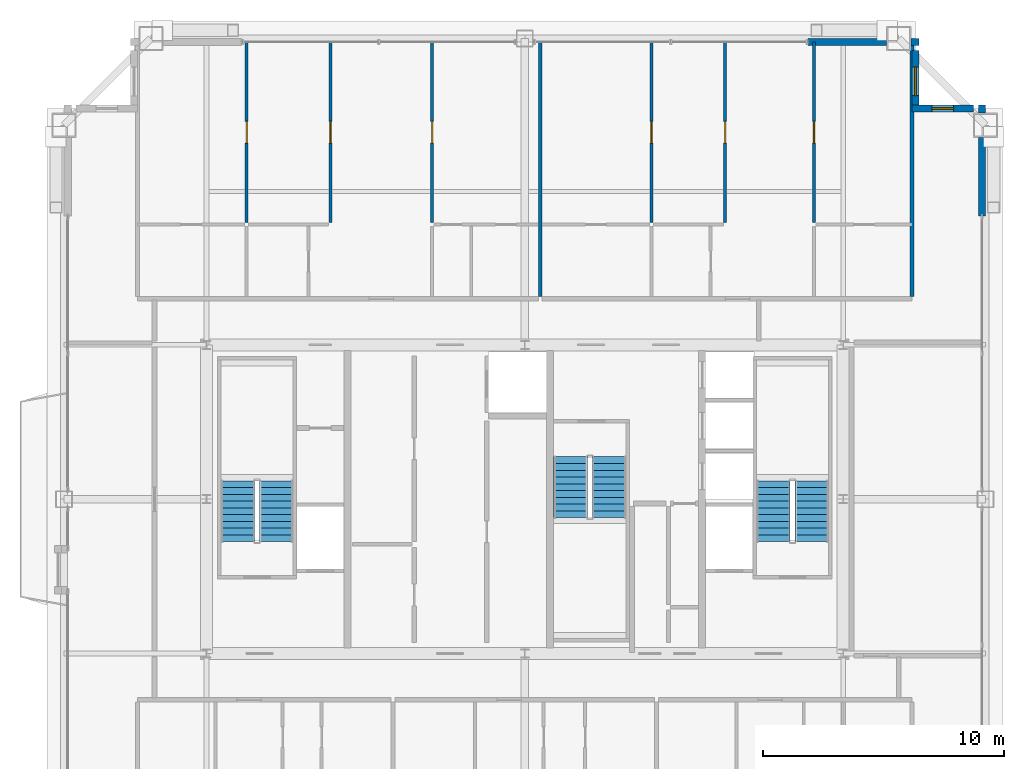
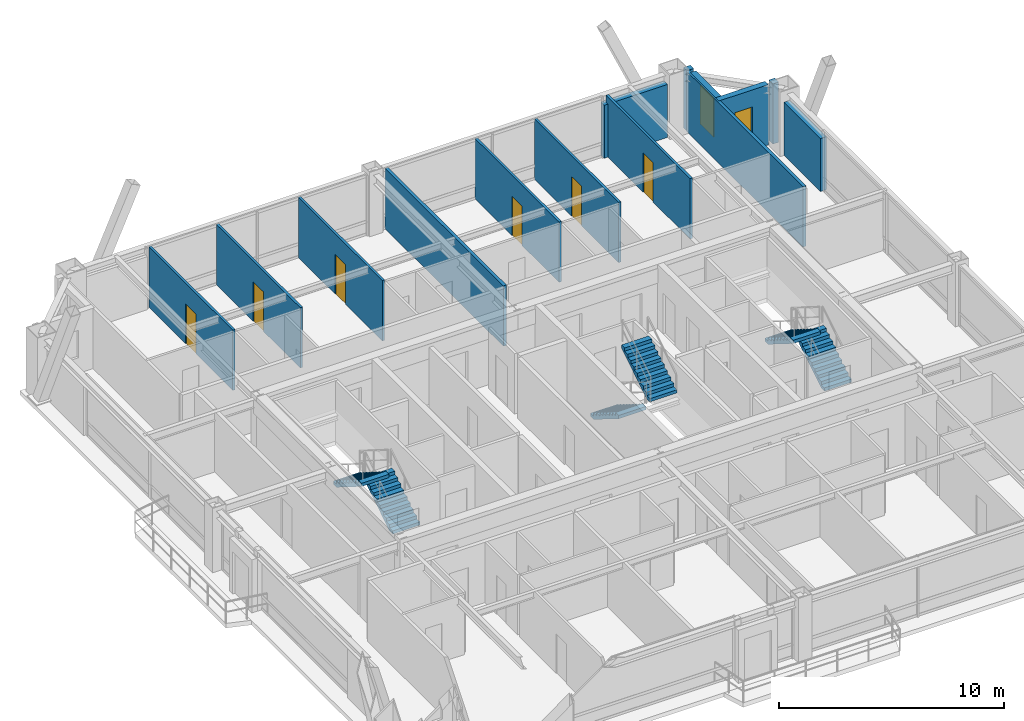
# One storey, part 32 of 33: 14 walls, 6 doors, 6 stair flights, 2 windows, 8 openings, 3 elements without a shape of their own.
"""IFC4 building model written with IfcOpenShell, lengths in metres."""

from ifc_helpers import new_model, si_unit, direction, frame, frame_2d, origin, place, context, subcontext, project, spatial, polyline, rectangle, outline, extrude, source, transform, mapped, material, layer, layer_set, type_object, element, fill, aggregate, save


model = new_model("IFC4")

# Units and contexts
model_context = context("Model", 3, precision=1e-05, world=origin(), true_north=direction((0.0, 1.0)))
body_context = subcontext(model_context, "Body", "Model", "MODEL_VIEW")
ifc_project = project(units=[si_unit("LENGTHUNIT", "METRE"), si_unit("AREAUNIT", "SQUARE_METRE"), si_unit("VOLUMEUNIT", "CUBIC_METRE"), si_unit("PLANEANGLEUNIT", "RADIAN"), si_unit("MASSUNIT", "GRAM", prefix="KILO"), si_unit("THERMODYNAMICTEMPERATUREUNIT", "KELVIN"), si_unit("POWERUNIT", "WATT")], contexts=[model_context])

# Site, building, storey
site_placement = place(None, origin())
site = spatial("IfcSite", under=ifc_project, at=site_placement, CompositionType="ELEMENT")
building_placement = place(site_placement, origin())
building = spatial("IfcBuilding", under=site, at=building_placement, Name="Yuzanri Waterfront Tower", CompositionType="ELEMENT")
storey_placement = place(building_placement, frame((0.0, 0.0, 292.60009765625)))
storey = spatial("IfcBuildingStorey", under=building, at=storey_placement, Name="L78", CompositionType="ELEMENT", Elevation=292.60009765625)

# Wall, opening, door
ifc_material_1 = material(Name="Moisture-Resistant Gypsum Stud Wall", Category="gypsum")
ifc_layer_1 = layer(ifc_material_1, 0.1201171875)
ifc_layer_set_1 = layer_set([ifc_layer_1], Name="Moisture-Resistant Gypsum Stud Wall")
wall_type_1 = type_object("IfcWallType", Name="Bathroom and Kitchen Wet Partition 120", PredefinedType="PARTITIONING", material=ifc_layer_set_1)
wall_1_placement = place(storey_placement, frame((25.469970703125, 37.27001953125, 0.0), z_axis=(0.0, 0.0, 1.0), x_axis=(0.0, 1.0, 0.0)))
wall_1 = element("IfcWall", 1, at=wall_1_placement, inside=storey, type_object=wall_type_1, Name="L78 Partition UW-L78-HN1-SUB-5-E", PredefinedType="PARTITIONING", context=body_context, shape_type="SweptSolid", body=[
    extrude(rectangle(XDim=7.47998046875, YDim=0.1201171875, at=frame_2d((3.739990234375, 0.0))), origin(), (0.0, 0.0, 1.0), 3.27978515625),
])
opening_1_placement = place(wall_1_placement, frame((3.2900390625, 0.0, 0.0)))
opening_1 = element("IfcOpeningElement", 2, at=opening_1_placement, cuts=wall_1, Name="Opening ID-0900", PredefinedType="OPENING", context=body_context, shape_type="SweptSolid", body=[
    extrude(rectangle(XDim=0.89990234375, YDim=2.14990234375, at=frame_2d((0.449951171875, 1.074951171875))), frame((0.0, 0.074951171875, 0.0), z_axis=(0.0, -1.0, 0.0), x_axis=(1.0, 0.0, 0.0)), (0.0, 0.0, 1.0), 0.14990234375),
])
ifc_material_2 = material(Name="Stained Walnut Veneer Timber", Category="wood")
door_type = type_object("IfcDoorType", Name="Bedroom and Study Interior Swing Door 900x2150", OperationType="NOTDEFINED", PredefinedType="DOOR", material=ifc_material_2)
shared_shape_1 = source(origin(), body_context, "Body", "SweptSolid", [
    extrude(rectangle(XDim=0.89990234375, YDim=2.14990234375, at=frame_2d((0.449951171875, 1.074951171875))), frame((0.0, 0.02490234375, 0.0), z_axis=(0.0, -1.0, 0.0), x_axis=(1.0, 0.0, 0.0)), (0.0, 0.0, 1.0), 0.050048828125),
])
door_1_placement = place(opening_1_placement, origin())
door_1 = element("IfcDoor", 3, at=door_1_placement, inside=storey, type_object=door_type, Name="L78 Suite Interior Room Door", OperationType="SINGLE_SWING_RIGHT", OverallHeight=2.14990234375, OverallWidth=0.89990234375, PredefinedType="DOOR", context=body_context, shape_type="MappedRepresentation", body=[
    mapped(shared_shape_1, transform((0.0, 0.0, 0.0), scale=1.0)),
])
fill(opening_1, door_1)

wall_2_placement = place(storey_placement, frame((33.159912109375, 37.27001953125, 0.0), z_axis=(0.0, 0.0, 1.0), x_axis=(0.0, 1.0, 0.0)))
wall_2 = element("IfcWall", 4, at=wall_2_placement, inside=storey, type_object=wall_type_1, Name="L78 Partition UW-L78-HN1-SUB-6-W", PredefinedType="PARTITIONING", context=body_context, shape_type="SweptSolid", body=[
    extrude(rectangle(XDim=7.47998046875, YDim=0.1201171875, at=frame_2d((3.739990234375, 0.0))), origin(), (0.0, 0.0, 1.0), 3.27978515625),
])
opening_2_placement = place(wall_2_placement, frame((3.2900390625, 0.0, 0.0)))
opening_2 = element("IfcOpeningElement", 5, at=opening_2_placement, cuts=wall_2, Name="Opening ID-0900", PredefinedType="OPENING", context=body_context, shape_type="SweptSolid", body=[
    extrude(rectangle(XDim=0.89990234375, YDim=2.14990234375, at=frame_2d((0.449951171875, 1.074951171875))), frame((0.0, 0.074951171875, 0.0), z_axis=(0.0, -1.0, 0.0), x_axis=(1.0, 0.0, 0.0)), (0.0, 0.0, 1.0), 0.14990234375),
])
door_2_placement = place(opening_2_placement, origin())
door_2 = element("IfcDoor", 6, at=door_2_placement, inside=storey, type_object=door_type, Name="L78 Suite Interior Room Door", OperationType="SINGLE_SWING_LEFT", OverallHeight=2.14990234375, OverallWidth=0.89990234375, PredefinedType="DOOR", context=body_context, shape_type="MappedRepresentation", body=[
    mapped(shared_shape_1, transform((0.0, 0.0, 0.0), scale=1.0)),
])
fill(opening_2, door_2)

wall_3_placement = place(storey_placement, frame((28.943115234375, 37.27001953125, 0.0), z_axis=(0.0, 0.0, 1.0), x_axis=(0.0, 1.0, 0.0)))
wall_3 = element("IfcWall", 7, at=wall_3_placement, inside=storey, type_object=wall_type_1, Name="L78 Partition UW-L78-HN1-SUB-7-E", PredefinedType="PARTITIONING", context=body_context, shape_type="SweptSolid", body=[
    extrude(rectangle(XDim=7.47998046875, YDim=0.1201171875, at=frame_2d((3.739990234375, 0.0))), origin(), (0.0, 0.0, 1.0), 3.27978515625),
])
opening_3_placement = place(wall_3_placement, frame((3.2900390625, 0.0, 0.0)))
opening_3 = element("IfcOpeningElement", 8, at=opening_3_placement, cuts=wall_3, Name="Opening ID-0900", PredefinedType="OPENING", context=body_context, shape_type="SweptSolid", body=[
    extrude(rectangle(XDim=0.89990234375, YDim=2.14990234375, at=frame_2d((0.449951171875, 1.074951171875))), frame((0.0, 0.074951171875, 0.0), z_axis=(0.0, -1.0, 0.0), x_axis=(1.0, 0.0, 0.0)), (0.0, 0.0, 1.0), 0.14990234375),
])
door_3_placement = place(opening_3_placement, origin())
door_3 = element("IfcDoor", 9, at=door_3_placement, inside=storey, type_object=door_type, Name="L78 Suite Interior Room Door", OperationType="SINGLE_SWING_RIGHT", OverallHeight=2.14990234375, OverallWidth=0.89990234375, PredefinedType="DOOR", context=body_context, shape_type="MappedRepresentation", body=[
    mapped(shared_shape_1, transform((0.0, 0.0, 0.0), scale=1.0)),
])
fill(opening_3, door_3)

wall_4_placement = place(storey_placement, frame((42.251953125, 37.27001953125, 0.0), z_axis=(0.0, 0.0, 1.0), x_axis=(0.0, 1.0, 0.0)))
wall_4 = element("IfcWall", 10, at=wall_4_placement, inside=storey, type_object=wall_type_1, Name="L78 Partition UW-L78-HN2-SUB-4-E", PredefinedType="PARTITIONING", context=body_context, shape_type="SweptSolid", body=[
    extrude(rectangle(XDim=7.47998046875, YDim=0.1201171875, at=frame_2d((3.739990234375, 0.0))), origin(), (0.0, 0.0, 1.0), 3.27978515625),
])
opening_4_placement = place(wall_4_placement, frame((3.2900390625, 0.0, 0.0)))
opening_4 = element("IfcOpeningElement", 11, at=opening_4_placement, cuts=wall_4, Name="Opening ID-0900", PredefinedType="OPENING", context=body_context, shape_type="SweptSolid", body=[
    extrude(rectangle(XDim=0.89990234375, YDim=2.14990234375, at=frame_2d((0.449951171875, 1.074951171875))), frame((0.0, 0.074951171875, 0.0), z_axis=(0.0, -1.0, 0.0), x_axis=(1.0, 0.0, 0.0)), (0.0, 0.0, 1.0), 0.14990234375),
])
door_4_placement = place(opening_4_placement, origin())
door_4 = element("IfcDoor", 12, at=door_4_placement, inside=storey, type_object=door_type, Name="L78 Suite Interior Room Door", OperationType="SINGLE_SWING_LEFT", OverallHeight=2.14990234375, OverallWidth=0.89990234375, PredefinedType="DOOR", context=body_context, shape_type="MappedRepresentation", body=[
    mapped(shared_shape_1, transform((0.0, 0.0, 0.0), scale=1.0)),
])
fill(opening_4, door_4)

wall_5_placement = place(storey_placement, frame((48.991943359375, 37.27001953125, 0.0), z_axis=(0.0, 0.0, 1.0), x_axis=(0.0, 1.0, 0.0)))
wall_5 = element("IfcWall", 13, at=wall_5_placement, inside=storey, type_object=wall_type_1, Name="L78 Partition UW-L78-HN2-SUB-5-W", PredefinedType="PARTITIONING", context=body_context, shape_type="SweptSolid", body=[
    extrude(rectangle(XDim=7.47998046875, YDim=0.1201171875, at=frame_2d((3.739990234375, 0.0))), origin(), (0.0, 0.0, 1.0), 3.27978515625),
])
opening_5_placement = place(wall_5_placement, frame((3.2900390625, 0.0, 0.0)))
opening_5 = element("IfcOpeningElement", 14, at=opening_5_placement, cuts=wall_5, Name="Opening ID-0900", PredefinedType="OPENING", context=body_context, shape_type="SweptSolid", body=[
    extrude(rectangle(XDim=0.89990234375, YDim=2.14990234375, at=frame_2d((0.449951171875, 1.074951171875))), frame((0.0, 0.074951171875, 0.0), z_axis=(0.0, -1.0, 0.0), x_axis=(1.0, 0.0, 0.0)), (0.0, 0.0, 1.0), 0.14990234375),
])
door_5_placement = place(opening_5_placement, origin())
door_5 = element("IfcDoor", 15, at=door_5_placement, inside=storey, type_object=door_type, Name="L78 Suite Interior Room Door", OperationType="SINGLE_SWING_RIGHT", OverallHeight=2.14990234375, OverallWidth=0.89990234375, PredefinedType="DOOR", context=body_context, shape_type="MappedRepresentation", body=[
    mapped(shared_shape_1, transform((0.0, 0.0, 0.0), scale=1.0)),
])
fill(opening_5, door_5)

wall_6_placement = place(storey_placement, frame((45.306884765625, 37.27001953125, 0.0), z_axis=(0.0, 0.0, 1.0), x_axis=(0.0, 1.0, 0.0)))
wall_6 = element("IfcWall", 16, at=wall_6_placement, inside=storey, type_object=wall_type_1, Name="L78 Partition UW-L78-HN2-SUB-6-E", PredefinedType="PARTITIONING", context=body_context, shape_type="SweptSolid", body=[
    extrude(rectangle(XDim=7.47998046875, YDim=0.1201171875, at=frame_2d((3.739990234375, 0.0))), origin(), (0.0, 0.0, 1.0), 3.27978515625),
])
opening_6_placement = place(wall_6_placement, frame((3.2900390625, 0.0, 0.0)))
opening_6 = element("IfcOpeningElement", 17, at=opening_6_placement, cuts=wall_6, Name="Opening ID-0900", PredefinedType="OPENING", context=body_context, shape_type="SweptSolid", body=[
    extrude(rectangle(XDim=0.89990234375, YDim=2.14990234375, at=frame_2d((0.449951171875, 1.074951171875))), frame((0.0, 0.074951171875, 0.0), z_axis=(0.0, -1.0, 0.0), x_axis=(1.0, 0.0, 0.0)), (0.0, 0.0, 1.0), 0.14990234375),
])
door_6_placement = place(opening_6_placement, origin())
door_6 = element("IfcDoor", 18, at=door_6_placement, inside=storey, type_object=door_type, Name="L78 Suite Interior Room Door", OperationType="SINGLE_SWING_LEFT", OverallHeight=2.14990234375, OverallWidth=0.89990234375, PredefinedType="DOOR", context=body_context, shape_type="MappedRepresentation", body=[
    mapped(shared_shape_1, transform((0.0, 0.0, 0.0), scale=1.0)),
])
fill(opening_6, door_6)

# Wall, opening, window
ifc_material_3 = material(Name="Honed Chongqing Dark Basalt Stone", Category="masonry")
ifc_layer_2 = layer(ifc_material_3, 0.300048828125)
ifc_layer_set_2 = layer_set([ifc_layer_2], Name="Honed Chongqing Dark Basalt Stone")
wall_type_2 = type_object("IfcWallType", Name="Bronze Rainscreen Insulated Spandrel Portal Wall 300", PredefinedType="SOLIDWALL", material=ifc_layer_set_2)
wall_7_placement = place(storey_placement, frame((55.60009765625, 42.0, 0.0), z_axis=(0.0, 0.0, 1.0), x_axis=(-1.0, 0.0, 0.0)))
wall_7 = element("IfcWall", 19, at=wall_7_placement, inside=storey, type_object=wall_type_2, Name="L78 Notched Corner Masonry Wall NE-X", PredefinedType="SOLIDWALL", context=body_context, shape_type="SweptSolid", body=[
    extrude(rectangle(XDim=2.550048828125, YDim=0.300048828125, at=frame_2d((1.27490234375, 0.0))), origin(), (0.0, 0.0, 1.0), 3.27978515625),
])
opening_7_placement = place(wall_7_placement, frame((0.824951171875, 0.0, 0.85009765625)))
opening_7 = element("IfcOpeningElement", 20, at=opening_7_placement, cuts=wall_7, Name="Opening WN-05", PredefinedType="OPENING", context=body_context, shape_type="SweptSolid", body=[
    extrude(rectangle(XDim=0.89990234375, YDim=1.5, at=frame_2d((0.449951171875, 0.75))), frame((0.0, 0.1650390625, 0.0), z_axis=(0.0, -1.0, 0.0), x_axis=(1.0, 0.0, 0.0)), (0.0, 0.0, 1.0), 0.329833984375),
])
ifc_material_4 = material(Name="Double-Silver Low-E Insulated Glass", Category="glass")
window_type_1 = type_object("IfcWindowType", Name="Anodized Bronze Service and Stairwell Smoke-Vent Window 900x1500", PartitioningType="SINGLE_PANEL", PredefinedType="WINDOW", material=ifc_material_4)
shared_shape_2 = source(origin(), body_context, "Body", "SweptSolid", [
    extrude(rectangle(XDim=0.89990234375, YDim=1.5, at=frame_2d((0.449951171875, 0.75))), frame((0.0, 0.030029296875, 0.0), z_axis=(0.0, -1.0, 0.0), x_axis=(1.0, 0.0, 0.0)), (0.0, 0.0, 1.0), 0.06005859375),
])
window_1_placement = place(opening_7_placement, origin())
window_1 = element("IfcWindow", 21, at=window_1_placement, inside=storey, type_object=window_type_1, Name="L78 Notched Corner Window NE-X", OverallHeight=1.5, OverallWidth=0.89990234375, PartitioningType="SINGLE_PANEL", PredefinedType="WINDOW", context=body_context, shape_type="MappedRepresentation", body=[
    mapped(shared_shape_2, transform((0.0, 0.0, 0.0), scale=1.0)),
])
fill(opening_7, window_1)

wall_8_placement = place(storey_placement, frame((53.199951171875, 41.85009765625, 0.0), z_axis=(0.0, 0.0, 1.0), x_axis=(0.0, 1.0, 0.0)))
wall_8 = element("IfcWall", 22, at=wall_8_placement, inside=storey, type_object=wall_type_2, Name="L78 Notched Corner Masonry Wall NE-Y", PredefinedType="SOLIDWALL", context=body_context, shape_type="SweptSolid", body=[
    extrude(rectangle(XDim=2.5498046875, YDim=0.300048828125, at=frame_2d((1.27490234375, 0.0))), origin(), (0.0, 0.0, 1.0), 3.27978515625),
])
opening_8_placement = place(wall_8_placement, frame((0.675048828125, 0.0, 0.85009765625)))
opening_8 = element("IfcOpeningElement", 23, at=opening_8_placement, cuts=wall_8, Name="Opening WN-02", PredefinedType="OPENING", context=body_context, shape_type="SweptSolid", body=[
    extrude(rectangle(XDim=1.199951171875, YDim=2.10009765625, at=frame_2d((0.60009765625, 1.050048828125))), frame((0.0, 0.1650390625, 0.0), z_axis=(0.0, -1.0, 0.0), x_axis=(1.0, 0.0, 0.0)), (0.0, 0.0, 1.0), 0.329833984375),
])
ifc_material_5 = material(Name="Double-Silver Low-E Insulated Glass", Category="glass")
window_type_2 = type_object("IfcWindowType", Name="Anodized Bronze Notched Corner Deep-Set Slot Window 1200x2100", PartitioningType="SINGLE_PANEL", PredefinedType="WINDOW", material=ifc_material_5)
shared_shape_3 = source(origin(), body_context, "Body", "SweptSolid", [
    extrude(rectangle(XDim=1.199951171875, YDim=2.10009765625, at=frame_2d((0.60009765625, 1.050048828125))), frame((0.0, 0.030029296875, 0.0), z_axis=(0.0, -1.0, 0.0), x_axis=(1.0, 0.0, 0.0)), (0.0, 0.0, 1.0), 0.06005859375),
])
window_2_placement = place(opening_8_placement, origin())
window_2 = element("IfcWindow", 24, at=window_2_placement, inside=storey, type_object=window_type_2, Name="L78 Notched Corner Window NE-Y", OverallHeight=2.10009765625, OverallWidth=1.199951171875, PartitioningType="SINGLE_PANEL", PredefinedType="WINDOW", context=body_context, shape_type="MappedRepresentation", body=[
    mapped(shared_shape_3, transform((0.0, 0.0, 0.0), scale=1.0)),
])
fill(opening_8, window_2)

# Walls
shared_shape_4 = source(origin(), body_context, "Body", "SweptSolid", [
    extrude(rectangle(XDim=0.35009765625, YDim=0.300048828125, at=frame_2d((0.175048828125, 0.0))), origin(), (0.0, 0.0, 1.0), 3.27978515625),
])
wall_9_placement = place(storey_placement, frame((53.0, 44.75, 0.0), z_axis=(0.0, 0.0, 1.0), x_axis=(1.0, 0.0, 0.0)))
element("IfcWall", 25, at=wall_9_placement, inside=storey, type_object=wall_type_2, Name="L78 Corner Column Shoulder Return CNE", PredefinedType="SOLIDWALL", context=body_context, shape_type="MappedRepresentation", body=[
    mapped(shared_shape_4, transform((0.0, 0.0, 0.0), scale=1.0)),
])
shared_shape_5 = source(origin(), body_context, "Body", "SweptSolid", [
    extrude(rectangle(XDim=0.349853515625, YDim=0.300048828125, at=frame_2d((0.1748046875, 0.0))), origin(), (0.0, 0.0, 1.0), 3.27978515625),
])
wall_10_placement = place(storey_placement, frame((55.949951171875, 41.800048828125, 0.0), z_axis=(0.0, 0.0, 1.0), x_axis=(0.0, 1.0, 0.0)))
element("IfcWall", 26, at=wall_10_placement, inside=storey, type_object=wall_type_2, Name="L78 Corner Column Shoulder Return CEN", PredefinedType="SOLIDWALL", context=body_context, shape_type="MappedRepresentation", body=[
    mapped(shared_shape_5, transform((0.0, 0.0, 0.0), scale=1.0)),
])
shared_shape_6 = source(origin(), body_context, "Body", "SweptSolid", [
    extrude(rectangle(XDim=3.25, YDim=0.300048828125, at=frame_2d((1.625, 0.0))), origin(), (0.0, 0.0, 1.0), 2.885009765625),
])
for number, where, z_axis, x_axis, name in (
    (27, (48.75, 44.75, 0.0), (0.0, 0.0, 1.0), (1.0, 0.0, 0.0), "L78 N Right Braced Masonry Shoulder"),
    (28, (55.949951171875, 37.550048828125, 0.0), (0.0, 0.0, 1.0), (0.0, 1.0, 0.0), "L78 E Right Braced Masonry Shoulder"),
):
    element("IfcWall", number, at=place(storey_placement, frame(where, z_axis=z_axis, x_axis=x_axis)), inside=storey, type_object=wall_type_2, Name=name, PredefinedType="SOLIDWALL", context=body_context, shape_type="MappedRepresentation", body=[
        mapped(shared_shape_6, transform((0.0, 0.0, 0.0), scale=1.0)),
    ])
ifc_material_6 = material(Name="Gypsum Fireboard Acoustic Stud Wall", Category="gypsum")
ifc_layer_3 = layer(ifc_material_6, 0.159912109375)
ifc_layer_set_3 = layer_set([ifc_layer_3], Name="Gypsum Fireboard Acoustic Stud Wall")
wall_type_3 = type_object("IfcWallType", Name="Acoustic Suite Demising Partition 160", PredefinedType="PARTITIONING", material=ifc_layer_set_3)
shared_shape_7 = source(origin(), body_context, "Body", "SweptSolid", [
    extrude(rectangle(XDim=10.5400390625, YDim=0.159912109375, at=frame_2d((5.27001953125, 0.0))), origin(), (0.0, 0.0, 1.0), 3.27978515625),
])
wall_11_placement = place(storey_placement, frame((37.64208984375, 34.2099609375, 0.0), z_axis=(0.0, 0.0, 1.0), x_axis=(0.0, 1.0, 0.0)))
element("IfcWall", 29, at=wall_11_placement, inside=storey, type_object=wall_type_3, Name="L78-HN1 Party Wall", PredefinedType="PARTITIONING", context=body_context, shape_type="MappedRepresentation", body=[
    mapped(shared_shape_7, transform((0.0, 0.0, 0.0), scale=1.0)),
])
shared_shape_8 = source(origin(), body_context, "Body", "SweptSolid", [
    extrude(rectangle(XDim=10.39013671875, YDim=0.159912109375, at=frame_2d((5.195068359375, 0.0))), origin(), (0.0, 0.0, 1.0), 3.27978515625),
])
wall_12_placement = place(storey_placement, frame((53.050048828125, 34.2099609375, 0.0), z_axis=(0.0, 0.0, 1.0), x_axis=(0.0, 1.0, 0.0)))
element("IfcWall", 30, at=wall_12_placement, inside=storey, type_object=wall_type_3, Name="L78 North Band East End Wall", PredefinedType="PARTITIONING", context=body_context, shape_type="MappedRepresentation", body=[
    mapped(shared_shape_8, transform((0.0, 0.0, 0.0), scale=1.0)),
])

# Stair, stair flights
ifc_material_7 = material(Name="Concrete C40", Category="concrete")
stair_type = type_object("IfcStairType", Name="Concrete C40 Core Dogleg Exit Stair", PredefinedType="HALF_TURN_STAIR", material=ifc_material_7)
stair_1_placement = place(storey_placement, origin())
stair_1 = element("IfcStair", 31, at=stair_1_placement, inside=storey, type_object=stair_type, Name="L78 Smoke-Proof Core Stair ST-01", PredefinedType="HALF_TURN_STAIR")
ifc_material_8 = material(Name="Concrete C40", Category="concrete")
stair_flight_type = type_object("IfcStairFlightType", Name="Concrete C40 Precast Stair Flight 1380", PredefinedType="STRAIGHT", material=ifc_material_8)
shared_shape_9 = source(origin(), body_context, "Body", "SweptSolid", [
    extrude(outline(polyline([(0.0, 0.0), (0.0, 0.175048828125), (0.280029296875, 0.175048828125), (0.280029296875, 0.35009765625), (0.56005859375, 0.35009765625), (0.56005859375, 0.52490234375), (0.840087890625, 0.52490234375), (0.840087890625, 0.699951171875), (1.1201171875, 0.699951171875), (1.1201171875, 0.875), (1.39990234375, 0.875), (1.39990234375, 1.050048828125), (1.679931640625, 1.050048828125), (1.679931640625, 1.22509765625), (1.9599609375, 1.22509765625), (1.9599609375, 1.39990234375), (2.239990234375, 1.39990234375), (2.239990234375, 1.574951171875), (2.52001953125, 1.574951171875), (2.52001953125, 1.75), (2.52001953125, 1.398193359375), (0.28271484375, 0.0), (0.0, 0.0)])), frame((0.0, 0.699951171875, 0.0), z_axis=(0.0, -1.0, 0.0), x_axis=(1.0, 0.0, 0.0)), (0.0, 0.0, 1.0), 1.39990234375),
])
stair_flight_1_placement = place(storey_placement, frame((26.699951171875, 24.0400390625, 0.0), z_axis=(0.0, 0.0, 1.0), x_axis=(0.0, 1.0, 0.0)))
stair_flight_1 = element("IfcStairFlight", 32, at=stair_flight_1_placement, type_object=stair_flight_type, Name="ST-01 flight 1", NumberOfRisers=10, NumberOfTreads=9, PredefinedType="STRAIGHT", RiserHeight=0.175, TreadLength=0.28, context=body_context, shape_type="MappedRepresentation", body=[
    mapped(shared_shape_9, transform((0.0, 0.0, 0.0), scale=1.0)),
])
stair_flight_2_placement = place(storey_placement, frame((25.10009765625, 26.56005859375, 1.75), z_axis=(0.0, 0.0, 1.0), x_axis=(0.0, -1.0, 0.0)))
stair_flight_2 = element("IfcStairFlight", 33, at=stair_flight_2_placement, type_object=stair_flight_type, Name="ST-01 flight 2", NumberOfRisers=10, NumberOfTreads=9, PredefinedType="STRAIGHT", RiserHeight=0.175, TreadLength=0.28, context=body_context, shape_type="MappedRepresentation", body=[
    mapped(shared_shape_9, transform((0.0, 0.0, 0.0), scale=1.0)),
])
aggregate(stair_1, [stair_flight_1, stair_flight_2])

stair_2_placement = place(storey_placement, origin())
stair_2 = element("IfcStair", 34, at=stair_2_placement, inside=storey, type_object=stair_type, Name="L78 Smoke-Proof Core Stair ST-02", PredefinedType="HALF_TURN_STAIR")
stair_flight_3_placement = place(storey_placement, frame((48.89990234375, 24.0400390625, 0.0), z_axis=(0.0, 0.0, 1.0), x_axis=(0.0, 1.0, 0.0)))
stair_flight_3 = element("IfcStairFlight", 35, at=stair_flight_3_placement, type_object=stair_flight_type, Name="ST-02 flight 1", NumberOfRisers=10, NumberOfTreads=9, PredefinedType="STRAIGHT", RiserHeight=0.175, TreadLength=0.28, context=body_context, shape_type="MappedRepresentation", body=[
    mapped(shared_shape_9, transform((0.0, 0.0, 0.0), scale=1.0)),
])
stair_flight_4_placement = place(storey_placement, frame((47.300048828125, 26.56005859375, 1.75), z_axis=(0.0, 0.0, 1.0), x_axis=(0.0, -1.0, 0.0)))
stair_flight_4 = element("IfcStairFlight", 36, at=stair_flight_4_placement, type_object=stair_flight_type, Name="ST-02 flight 2", NumberOfRisers=10, NumberOfTreads=9, PredefinedType="STRAIGHT", RiserHeight=0.175, TreadLength=0.28, context=body_context, shape_type="MappedRepresentation", body=[
    mapped(shared_shape_9, transform((0.0, 0.0, 0.0), scale=1.0)),
])
aggregate(stair_2, [stair_flight_3, stair_flight_4])

stair_3_placement = place(storey_placement, origin())
stair_3 = element("IfcStair", 37, at=stair_3_placement, inside=storey, type_object=stair_type, Name="L78 Smoke-Proof Core Stair ST-03", PredefinedType="HALF_TURN_STAIR")
stair_flight_5_placement = place(storey_placement, frame((38.89990234375, 27.56005859375, 0.0), z_axis=(0.0, 0.0, 1.0), x_axis=(0.0, -1.0, 0.0)))
stair_flight_5 = element("IfcStairFlight", 38, at=stair_flight_5_placement, type_object=stair_flight_type, Name="ST-03 flight 1", NumberOfRisers=10, NumberOfTreads=9, PredefinedType="STRAIGHT", RiserHeight=0.175, TreadLength=0.28, context=body_context, shape_type="MappedRepresentation", body=[
    mapped(shared_shape_9, transform((0.0, 0.0, 0.0), scale=1.0)),
])
stair_flight_6_placement = place(storey_placement, frame((40.5, 25.0400390625, 1.75), z_axis=(0.0, 0.0, 1.0), x_axis=(0.0, 1.0, 0.0)))
stair_flight_6 = element("IfcStairFlight", 39, at=stair_flight_6_placement, type_object=stair_flight_type, Name="ST-03 flight 2", NumberOfRisers=10, NumberOfTreads=9, PredefinedType="STRAIGHT", RiserHeight=0.175, TreadLength=0.28, context=body_context, shape_type="MappedRepresentation", body=[
    mapped(shared_shape_9, transform((0.0, 0.0, 0.0), scale=1.0)),
])
aggregate(stair_3, [stair_flight_5, stair_flight_6])

save(model, "model.ifc")
